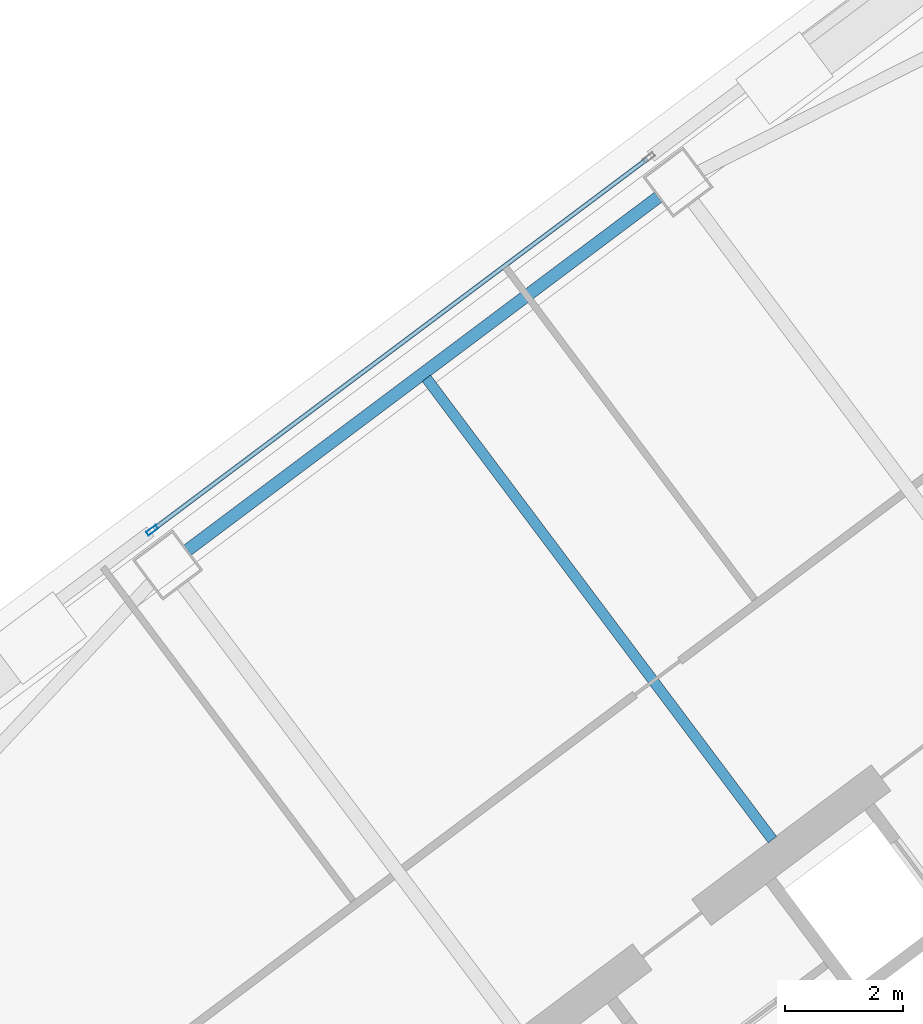
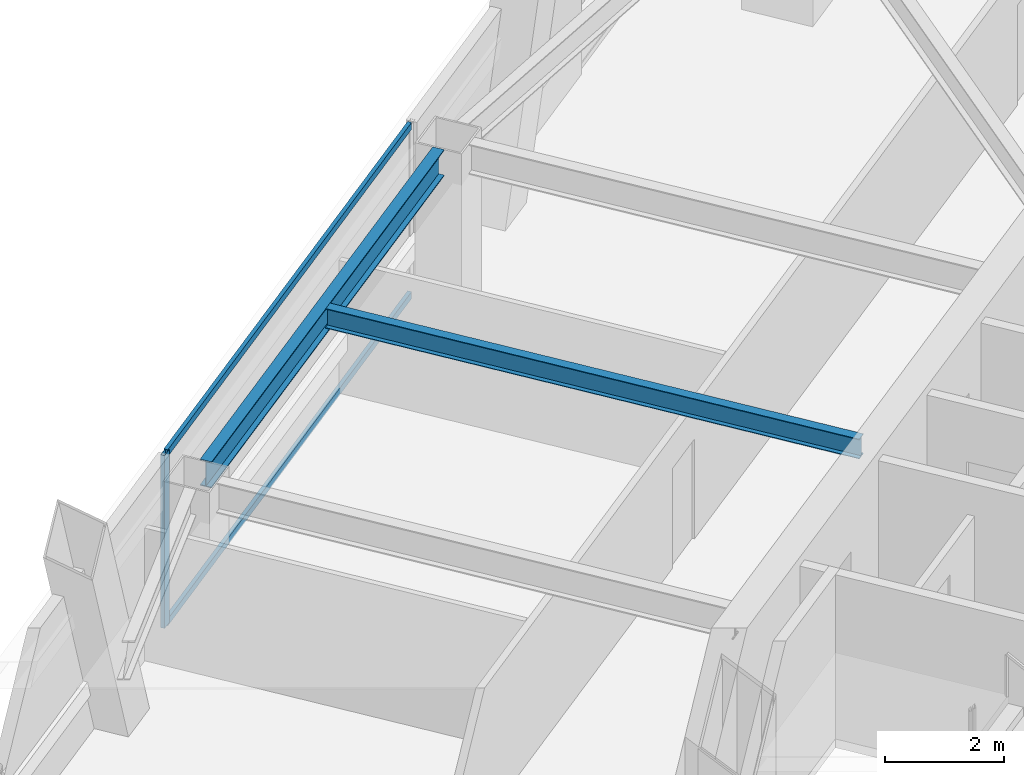
# One storey, part 36 of 54: 3 members, 2 beams, 1 element without a shape of its own.
"""IFC4 building model written with IfcOpenShell, lengths in metres."""

import ifcopenshell
import ifcopenshell.guid

model = None  # the IFC model being written
_history = None  # IfcOwnerHistory: only IFC2X3 demands one
_inside = {}  # id of a spatial element -> (the spatial element, [elements in it])
_under = {}  # id of a project, library or spatial element -> (it, [spatial elements below it])
_declared = {}  # id of a project -> (the project, [libraries it declares])
_typed = {}  # id of a type object -> (the type object, [elements of that type])
_made_of = {}  # id of a material, layer set ... -> (it, [elements and type objects made of it])


def new_model(schema):
    """Start an empty IFC model of exactly this schema.

    Asked for "IFC4X3", IfcOpenShell would pick the latest addendum, in which some entities
    have other attributes; the version numbers below select the first issue.
    IFC2X3 requires an IfcOwnerHistory on every rooted entity: one is made here for all.
    """
    global model, _history
    if schema == "IFC4X3":
        model = ifcopenshell.file(schema_version=(4, 3, 0, 0))
    else:
        model = ifcopenshell.file(schema=schema)
    _inside.clear()
    _under.clear()
    _declared.clear()
    _typed.clear()
    _made_of.clear()
    _history = None
    if model.schema == "IFC2X3":
        org = make("IfcOrganization", Name="unknown")
        user = make(
            "IfcPersonAndOrganization",
            ThePerson=make("IfcPerson", FamilyName="unknown"),
            TheOrganization=org,
        )
        app = make(
            "IfcApplication",
            ApplicationDeveloper=org,
            Version="unknown",
            ApplicationFullName="unknown",
            ApplicationIdentifier="unknown",
        )
        _history = make(
            "IfcOwnerHistory",
            OwningUser=user,
            OwningApplication=app,
            ChangeAction="ADDED",
            CreationDate=0,
        )
    return model


def make(cls, **values):
    """One entity of the class cls with the attributes given. An attribute that is None is left unset."""
    return model.create_entity(
        cls, **{name: value for name, value in values.items() if value is not None}
    )


def rooted(cls, **values):
    """An entity with a GlobalId (a new one), such as an element, a storey or a relation."""
    return make(cls, GlobalId=ifcopenshell.guid.new(), OwnerHistory=_history, **values)


def si_unit(unit_type, name, prefix=None):
    """IfcSIUnit, for example si_unit("LENGTHUNIT", "METRE", prefix="MILLI")."""
    return make("IfcSIUnit", UnitType=unit_type, Prefix=prefix, Name=name)


def assignment(units):
    """IfcUnitAssignment: the units of a project."""
    return None if units is None else make("IfcUnitAssignment", Units=units)


def point(xyz):
    """IfcCartesianPoint."""
    return None if xyz is None else make("IfcCartesianPoint", Coordinates=xyz)


def direction(xyz):
    """IfcDirection."""
    return None if xyz is None else make("IfcDirection", DirectionRatios=xyz)


def frame(location, z_axis=None, x_axis=None):
    """IfcAxis2Placement3D, a coordinate frame: its origin and axes. An axis left out is left unset."""
    return make(
        "IfcAxis2Placement3D",
        Location=point(location),
        Axis=direction(z_axis),
        RefDirection=direction(x_axis),
    )


def frame_2d(location, x_axis=None):
    """IfcAxis2Placement2D, a coordinate frame in the plane: its origin and x axis."""
    return make(
        "IfcAxis2Placement2D", Location=point(location), RefDirection=direction(x_axis)
    )


def origin():
    """The frame at (0, 0, 0) with its axes left unset."""
    return frame((0.0, 0.0, 0.0))


def origin_2d():
    """The frame at (0, 0) in the plane with its x axis left unset."""
    return frame_2d((0.0, 0.0))


def place(relative_to, where):
    """IfcLocalPlacement: puts the frame where relative to a parent placement (None: the world)."""
    return make(
        "IfcLocalPlacement", PlacementRelTo=relative_to, RelativePlacement=where
    )


def context(
    kind, dimensions, precision=None, world=None, true_north=None, identifier=None
):
    """IfcGeometricRepresentationContext, for example the 3D "Model" context."""
    return make(
        "IfcGeometricRepresentationContext",
        ContextIdentifier=identifier,
        ContextType=kind,
        CoordinateSpaceDimension=dimensions,
        Precision=precision,
        WorldCoordinateSystem=world,
        TrueNorth=true_north,
    )


def subcontext(parent, identifier, kind, view, scale=None):
    """IfcGeometricRepresentationSubContext, for example "Body" below "Model"."""
    return make(
        "IfcGeometricRepresentationSubContext",
        ContextIdentifier=identifier,
        ContextType=kind,
        ParentContext=parent,
        TargetScale=scale,
        TargetView=view,
    )


def project(units=None, contexts=None):
    """IfcProject with its units and contexts."""
    return rooted(
        "IfcProject",
        Name="project",
        RepresentationContexts=contexts,
        UnitsInContext=assignment(units),
    )


def spatial(cls, under=None, at=None, **own):
    """A site, building, storey or space (cls), placed at a placement, below another one or the project."""
    s = rooted(cls, ObjectPlacement=at, **own)
    if under is not None:
        _under.setdefault(under.id(), (under, []))[1].append(s)
    return s


def profile(cls, at=None, kind="AREA", **sizes):
    """A parametric profile (cls). Its sizes go by their IFC names, for example OverallWidth=200.0."""
    return make(cls, ProfileType=kind, Position=at, **sizes)


def hollow_rectangle(**sizes):
    """IfcRectangleHollowProfileDef."""
    return profile("IfcRectangleHollowProfileDef", **sizes)


def i_section(**sizes):
    """IfcIShapeProfileDef."""
    return profile("IfcIShapeProfileDef", **sizes)


def extrude(swept, where, along, depth):
    """IfcExtrudedAreaSolid: the profile swept, set in the frame where, extruded along a direction by depth."""
    return make(
        "IfcExtrudedAreaSolid",
        SweptArea=swept,
        Position=where,
        ExtrudedDirection=direction(along),
        Depth=depth,
    )


def shape(context_of_items, identifier, shape_type, items):
    """IfcShapeRepresentation: the items that make up one representation, for example the "Body"."""
    return make(
        "IfcShapeRepresentation",
        ContextOfItems=context_of_items,
        RepresentationIdentifier=identifier,
        RepresentationType=shape_type,
        Items=items,
    )


def material(Name=None, Category=None):
    """IfcMaterial."""
    return make("IfcMaterial", Name=Name, Category=Category)


def material_profile(
    of_material, cross_section, Name=None, Category=None, Priority=None
):
    """IfcMaterialProfile: a cross section and its material."""
    return make(
        "IfcMaterialProfile",
        Name=Name,
        Material=of_material,
        Profile=cross_section,
        Priority=Priority,
        Category=Category,
    )


def profile_set(profiles, Name=None, composite=None):
    """IfcMaterialProfileSet."""
    return make(
        "IfcMaterialProfileSet",
        Name=Name,
        MaterialProfiles=profiles,
        CompositeProfile=composite,
    )


def made_of(thing, what):
    """Note that an element or type object is made of a material, layer set ...; save() writes the relation."""
    if what is not None:
        _made_of.setdefault(what.id(), (what, []))[1].append(thing)
    return thing


def type_object(cls, material=None, **own):
    """A type object (cls), such as IfcWallType, which elements share."""
    return made_of(rooted(cls, **own), material)


def element(
    cls,
    number,
    at=None,
    inside=None,
    cuts=None,
    type_object=None,
    material=None,
    context=None,
    identifier="Body",
    shape_type=None,
    held_by="IfcProductDefinitionShape",
    body=None,
    shapes=None,
    **own,
):
    """One element of the class cls, such as IfcWall. Its Tag is "e" and its number.

    at: its placement. inside: the storey or other place that contains it. cuts: it is an
    opening in that element (IfcRelVoidsElement). A single representation is given by context,
    identifier, shape_type and body (its items); several are given by shapes. held_by: the class
    of the entity that holds the representations. save() writes the other relations.
    """
    e = rooted(cls, Tag="e%d" % number, ObjectPlacement=at, **own)
    if body is not None:
        shapes = [shape(context, identifier, shape_type, body)]
    if shapes is not None:
        e.Representation = make(held_by, Representations=shapes)
    if inside is not None:
        _inside.setdefault(inside.id(), (inside, []))[1].append(e)
    if cuts is not None:
        rooted(
            "IfcRelVoidsElement", RelatingBuildingElement=cuts, RelatedOpeningElement=e
        )
    if type_object is not None:
        _typed.setdefault(type_object.id(), (type_object, []))[1].append(e)
    return made_of(e, material)


def aggregate(whole, parts):
    """IfcRelAggregates: a whole, such as a stair, and the parts it consists of."""
    return rooted("IfcRelAggregates", RelatingObject=whole, RelatedObjects=parts)


def save(model, path):
    """Write the relations noted so far, then the file.

    IfcRelAggregates (storeys below a building ...), IfcRelContainedInSpatialStructure (elements
    in a storey), IfcRelDefinesByType, IfcRelAssociatesMaterial and IfcRelDeclares: one each for
    every whole, place, type object, material and project.
    """
    for whole, parts in _under.values():
        aggregate(whole, parts)
    for where, things in _inside.values():
        rooted(
            "IfcRelContainedInSpatialStructure",
            RelatedElements=things,
            RelatingStructure=where,
        )
    for kind, things in _typed.values():
        rooted("IfcRelDefinesByType", RelatedObjects=things, RelatingType=kind)
    for what, things in _made_of.values():
        rooted("IfcRelAssociatesMaterial", RelatedObjects=things, RelatingMaterial=what)
    for by, libraries in _declared.values():
        rooted("IfcRelDeclares", RelatingContext=by, RelatedDefinitions=libraries)
    model.write(path)


model = new_model("IFC4")

# Units and contexts
model_context = context("Model", 3, precision=1e-05, world=origin(), true_north=direction((0.0, 1.0)))
body_context = subcontext(model_context, "Body", "Model", "MODEL_VIEW")
ifc_project = project(units=[si_unit("LENGTHUNIT", "METRE"), si_unit("AREAUNIT", "SQUARE_METRE"), si_unit("VOLUMEUNIT", "CUBIC_METRE"), si_unit("PLANEANGLEUNIT", "RADIAN"), si_unit("MASSUNIT", "GRAM", prefix="KILO")], contexts=[model_context])

# Site, building, storey
site_placement = place(None, origin())
site = spatial("IfcSite", under=ifc_project, at=site_placement, CompositionType="ELEMENT")
building_placement = place(site_placement, origin())
building = spatial("IfcBuilding", under=site, at=building_placement, Name="Tashvorn Skyway Center", CompositionType="ELEMENT")
storey_placement = place(building_placement, frame((0.0, 0.0, 135.699951171875)))
storey = spatial("IfcBuildingStorey", under=building, at=storey_placement, Name="L36", CompositionType="ELEMENT", Elevation=135.699951171875)

# Beams
ifc_material_1 = material(Name="Steel ASTM A992 Grade 50", Category="steel")
ifc_material_profile_1 = material_profile(ifc_material_1, i_section(OverallWidth=0.177978515625, OverallDepth=0.406005859375, WebThickness=0.0078125, FlangeThickness=0.0126953125, at=origin_2d()), Name="W16X40")
ifc_profile_set_1 = profile_set([ifc_material_profile_1], Name="Steel ASTM A992 Grade 50")
beam_type_1 = type_object("IfcBeamType", Name="BM-JOIST-W16X40", PredefinedType="JOIST", material=ifc_profile_set_1)
beam_1_placement = place(storey_placement, frame((109.325927734375, 38.23193359375, 3.1669921875), z_axis=(-0.599991997409, 0.800006001881, 0.0), x_axis=(-0.800006001881, -0.599991997409, 0.0)))
element("IfcBeam", 1, at=beam_1_placement, inside=storey, type_object=beam_type_1, Name="Tower 2 L36 Secondary Composite Joist JN", PredefinedType="JOIST", context=body_context, shape_type="SweptSolid", body=[
    extrude(i_section(OverallWidth=0.177978515625, OverallDepth=0.406005859375, WebThickness=0.0078125, FlangeThickness=0.0126953125, at=origin_2d()), origin(), (0.0, 0.0, 1.0), 9.762451171875),
])
ifc_material_profile_2 = material_profile(ifc_material_1, i_section(OverallWidth=0.2109375, OverallDepth=0.5390625, WebThickness=0.01171875, FlangeThickness=0.018798828125, at=origin_2d()), Name="W21X73")
ifc_profile_set_2 = profile_set([ifc_material_profile_2], Name="Steel ASTM A992 Grade 50")
beam_type_2 = type_object("IfcBeamType", Name="BM-SPANDREL-W21X73", PredefinedType="SPANDREL", material=ifc_profile_set_2)
beam_2_placement = place(storey_placement, frame((107.39404296875, 49.10791015625, 3.1005859375), z_axis=(-0.800008824351, -0.599988234018, 0.0), x_axis=(0.599988234018, -0.800008824351, 0.0)))
element("IfcBeam", 2, at=beam_2_placement, inside=storey, type_object=beam_type_2, Name="Tower 2 L36 Spandrel Beam 08", PredefinedType="SPANDREL", context=body_context, shape_type="SweptSolid", body=[
    extrude(i_section(OverallWidth=0.2109375, OverallDepth=0.5390625, WebThickness=0.01171875, FlangeThickness=0.018798828125, at=origin_2d()), origin(), (0.0, 0.0, 1.0), 9.9599609375),
])

# Curtain wall, members
ifc_material_2 = material(Name="Thermally broken bronze-anodized aluminium 6063-T6", Category="aluminium")
curtain_wall_type = type_object("IfcCurtainWallType", Name="CW-CW-Z3", PredefinedType="NOTDEFINED", material=ifc_material_2)
curtain_wall_placement = place(storey_placement, origin())
curtain_wall = element("IfcCurtainWall", 3, at=curtain_wall_placement, inside=storey, type_object=curtain_wall_type, Name="Tower 2 L36 North Unitised Curtain Wall Glazing Group 2", PredefinedType="NOTDEFINED")
ifc_material_profile_3 = material_profile(ifc_material_2, hollow_rectangle(XDim=0.074951171875, YDim=0.199951171875, WallThickness=0.00439453125, at=origin_2d()), Name="ALU-MULL-75x200")
ifc_profile_set_3 = profile_set([ifc_material_profile_3], Name="Thermally broken bronze-anodized aluminium 6063-T6")
member_type_1 = type_object("IfcMemberType", Name="CWM-CW-Z3", PredefinedType="MULLION", material=ifc_profile_set_3)
member_1_placement = place(storey_placement, frame((98.827392578125, 43.470458984375, 0.0), z_axis=(0.0, 0.0, 1.0), x_axis=(-0.599996977339, 0.800002266987, 0.0)))
member_1 = element("IfcMember", 4, at=member_1_placement, type_object=member_type_1, Name="CW-Z3 mullion 1", PredefinedType="MULLION", context=body_context, shape_type="SweptSolid", body=[
    extrude(hollow_rectangle(XDim=0.074951171875, YDim=0.199951171875, WallThickness=0.00439453125, at=origin_2d()), origin(), (0.0, 0.0, 1.0), 3.550048828125),
])
ifc_material_profile_4 = material_profile(ifc_material_2, hollow_rectangle(XDim=0.074951171875, YDim=0.139892578125, WallThickness=0.004150390625, at=origin_2d()), Name="ALU-TRAN-75x140")
ifc_profile_set_4 = profile_set([ifc_material_profile_4], Name="Thermally broken bronze-anodized aluminium 6063-T6")
member_type_2 = type_object("IfcMemberType", Name="CWT-CW-Z3", PredefinedType="USERDEFINED", material=ifc_profile_set_4)
member_2_placement = place(storey_placement, frame((98.857421875, 43.492919921875, 0.03759765625), z_axis=(0.800002807101, 0.599996257181, 0.0), x_axis=(-0.599996257181, 0.800002807101, 0.0)))
member_2 = element("IfcMember", 5, at=member_2_placement, type_object=member_type_2, Name="CW-Z3 transom 1.1", ObjectType="TRANSOM", PredefinedType="USERDEFINED", context=body_context, shape_type="SweptSolid", body=[
    extrude(hollow_rectangle(XDim=0.074951171875, YDim=0.139892578125, WallThickness=0.004150390625, at=origin_2d()), origin(), (0.0, 0.0, 1.0), 10.436767578125),
])
member_3_placement = place(storey_placement, frame((98.857421875, 43.492919921875, 3.512451171875), z_axis=(0.800002807101, 0.599996257181, 0.0), x_axis=(-0.599996257181, 0.800002807101, 0.0)))
member_3 = element("IfcMember", 6, at=member_3_placement, type_object=member_type_2, Name="CW-Z3 transom 1.2", ObjectType="TRANSOM", PredefinedType="USERDEFINED", context=body_context, shape_type="SweptSolid", body=[
    extrude(hollow_rectangle(XDim=0.074951171875, YDim=0.139892578125, WallThickness=0.004150390625, at=origin_2d()), origin(), (0.0, 0.0, 1.0), 10.436767578125),
])
aggregate(curtain_wall, [member_1, member_2, member_3])

save(model, "model.ifc")
